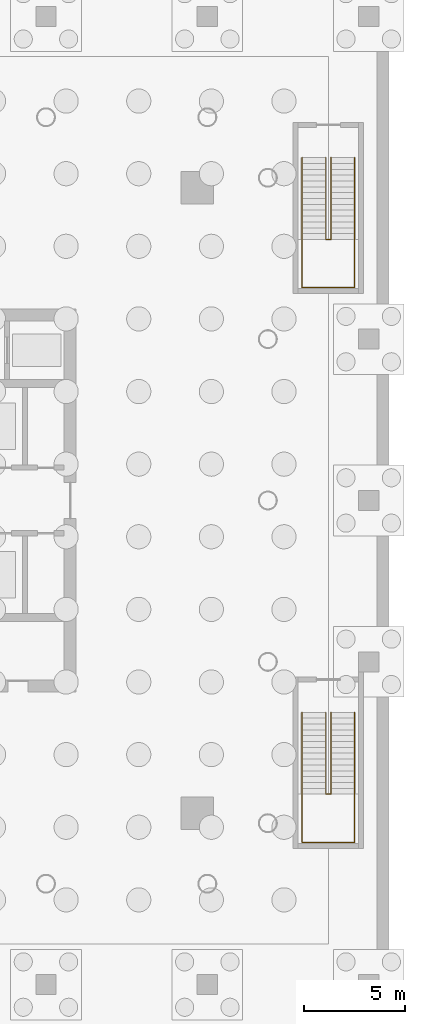
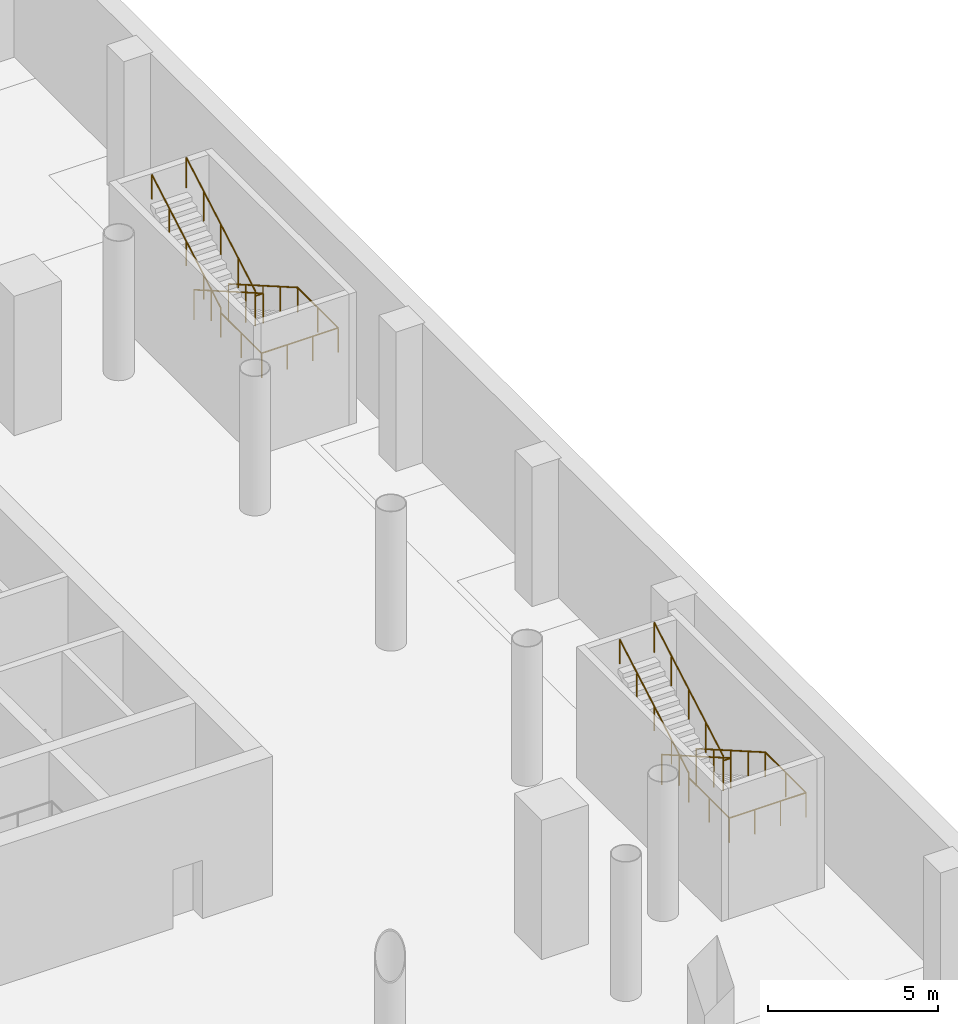
# One storey, part 23 of 24: 4 railings.
"""IFC4 building model written with IfcOpenShell, lengths in metres."""

from ifc_helpers import new_model, si_unit, direction, frame, origin, origin_2d, place, context, subcontext, project, spatial, circle, extrude, material, type_object, element, save


model = new_model("IFC4")

# Units and contexts
model_context = context("Model", 3, precision=1e-05, world=origin(), true_north=direction((0.0, 1.0)))
body_context = subcontext(model_context, "Body", "Model", "MODEL_VIEW")
ifc_project = project(units=[si_unit("LENGTHUNIT", "METRE"), si_unit("AREAUNIT", "SQUARE_METRE"), si_unit("VOLUMEUNIT", "CUBIC_METRE"), si_unit("PLANEANGLEUNIT", "RADIAN"), si_unit("MASSUNIT", "GRAM", prefix="KILO")], contexts=[model_context])

# Site, building, storey
site_placement = place(None, origin())
site = spatial("IfcSite", under=ifc_project, at=site_placement, CompositionType="ELEMENT")
building_placement = place(site_placement, origin())
building = spatial("IfcBuilding", under=site, at=building_placement, Name="Ostroluk Exchange", CompositionType="ELEMENT")
storey_placement = place(building_placement, frame((0.0, 0.0, -10.0)))
storey = spatial("IfcBuildingStorey", under=building, at=storey_placement, Name="B2", CompositionType="ELEMENT", Elevation=-10.0)

# Railings
ifc_material_1 = material(Name="Steel S355", Category="steel")
railing_type_1 = type_object("IfcRailingType", Name="Stair guard 1100", PredefinedType="GUARDRAIL", material=ifc_material_1)
railing_1_placement = place(storey_placement, frame((139.1298828125, 35.5, 0.166748046875)))
element("IfcRailing", 1, at=railing_1_placement, inside=storey, type_object=railing_type_1, Name="Stair PS7 guard B2", PredefinedType="GUARDRAIL", context=body_context, shape_type="SweptSolid", body=[
    extrude(circle(Radius=0.02392578125, at=origin_2d()), frame((0.0, 0.0, 1.076171875), z_axis=(0.0, -0.867024558463, 0.498265406207), x_axis=(1.0, 0.0, 0.0)), (0.0, 0.0, 1.0), 4.682861328125),
    extrude(circle(Radius=0.02392578125, at=origin_2d()), frame((0.0, -4.06005859375, 3.4091796875), z_axis=(-1.0, 0.0, 0.0), x_axis=(0.0, -1.0, 0.0)), (0.0, 0.0, 1.0), 0.259765625),
    extrude(circle(Radius=0.02392578125, at=origin_2d()), frame((-0.259765625, -4.06005859375, 3.4091796875), z_axis=(0.0, 0.0, 1.0), x_axis=(1.0, 0.0, 0.0)), (0.0, 0.0, 1.0), 0.166748046875),
    extrude(circle(Radius=0.02392578125, at=origin_2d()), frame((-0.259765625, -4.06005859375, 3.576171875), z_axis=(0.0, 0.867024558463, 0.498265406207), x_axis=(-1.0, 0.0, 0.0)), (0.0, 0.0, 1.0), 4.682861328125),
    extrude(circle(Radius=0.02099609375, at=origin_2d()), origin(), (0.0, 0.0, 1.0), 1.052001953125),
    extrude(circle(Radius=0.02099609375, at=origin_2d()), frame((0.0, -1.01513671875, 0.583251953125)), (0.0, 0.0, 1.0), 1.052001953125),
    extrude(circle(Radius=0.02099609375, at=origin_2d()), frame((0.0, -2.030029296875, 1.16650390625)), (0.0, 0.0, 1.0), 1.052001953125),
    extrude(circle(Radius=0.02099609375, at=origin_2d()), frame((0.0, -3.044921875, 1.75)), (0.0, 0.0, 1.0), 1.052001953125),
    extrude(circle(Radius=0.02099609375, at=origin_2d()), frame((0.0, -4.06005859375, 2.333251953125)), (0.0, 0.0, 1.0), 1.052001953125),
    extrude(circle(Radius=0.02099609375, at=origin_2d()), frame((-0.259765625, -4.06005859375, 2.333251953125)), (0.0, 0.0, 1.0), 1.052001953125),
    extrude(circle(Radius=0.02099609375, at=origin_2d()), frame((-0.259765625, -4.06005859375, 2.5)), (0.0, 0.0, 1.0), 1.052001953125),
    extrude(circle(Radius=0.02099609375, at=origin_2d()), frame((-0.259765625, -3.044921875, 3.083251953125)), (0.0, 0.0, 1.0), 1.052001953125),
    extrude(circle(Radius=0.02099609375, at=origin_2d()), frame((-0.259765625, -2.030029296875, 3.66650390625)), (0.0, 0.0, 1.0), 1.052001953125),
    extrude(circle(Radius=0.02099609375, at=origin_2d()), frame((-0.259765625, -1.01513671875, 4.25)), (0.0, 0.0, 1.0), 1.052001953125),
    extrude(circle(Radius=0.02099609375, at=origin_2d()), frame((-0.259765625, 0.0, 4.833251953125)), (0.0, 0.0, 1.0), 1.052001953125),
])
railing_2_placement = place(storey_placement, frame((139.1298828125, 63.0, 0.166748046875)))
element("IfcRailing", 2, at=railing_2_placement, inside=storey, type_object=railing_type_1, Name="Stair PS8 guard B2", PredefinedType="GUARDRAIL", context=body_context, shape_type="SweptSolid", body=[
    extrude(circle(Radius=0.02392578125, at=origin_2d()), frame((0.0, 0.0, 1.076171875), z_axis=(0.0, -0.867024558463, 0.498265406207), x_axis=(1.0, 0.0, 0.0)), (0.0, 0.0, 1.0), 4.682861328125),
    extrude(circle(Radius=0.02392578125, at=origin_2d()), frame((0.0, -4.06005859375, 3.4091796875), z_axis=(-1.0, 0.0, 0.0), x_axis=(0.0, -1.0, 0.0)), (0.0, 0.0, 1.0), 0.259765625),
    extrude(circle(Radius=0.02392578125, at=origin_2d()), frame((-0.259765625, -4.06005859375, 3.4091796875), z_axis=(0.0, 0.0, 1.0), x_axis=(1.0, 0.0, 0.0)), (0.0, 0.0, 1.0), 0.166748046875),
    extrude(circle(Radius=0.02392578125, at=origin_2d()), frame((-0.259765625, -4.06005859375, 3.576171875), z_axis=(0.0, 0.867024558463, 0.498265406207), x_axis=(-1.0, 0.0, 0.0)), (0.0, 0.0, 1.0), 4.682861328125),
    extrude(circle(Radius=0.02099609375, at=origin_2d()), origin(), (0.0, 0.0, 1.0), 1.052001953125),
    extrude(circle(Radius=0.02099609375, at=origin_2d()), frame((0.0, -1.01513671875, 0.583251953125)), (0.0, 0.0, 1.0), 1.052001953125),
    extrude(circle(Radius=0.02099609375, at=origin_2d()), frame((0.0, -2.030029296875, 1.16650390625)), (0.0, 0.0, 1.0), 1.052001953125),
    extrude(circle(Radius=0.02099609375, at=origin_2d()), frame((0.0, -3.044921875, 1.75)), (0.0, 0.0, 1.0), 1.052001953125),
    extrude(circle(Radius=0.02099609375, at=origin_2d()), frame((0.0, -4.06005859375, 2.333251953125)), (0.0, 0.0, 1.0), 1.052001953125),
    extrude(circle(Radius=0.02099609375, at=origin_2d()), frame((-0.259765625, -4.06005859375, 2.333251953125)), (0.0, 0.0, 1.0), 1.052001953125),
    extrude(circle(Radius=0.02099609375, at=origin_2d()), frame((-0.259765625, -4.06005859375, 2.5)), (0.0, 0.0, 1.0), 1.052001953125),
    extrude(circle(Radius=0.02099609375, at=origin_2d()), frame((-0.259765625, -3.044921875, 3.083251953125)), (0.0, 0.0, 1.0), 1.052001953125),
    extrude(circle(Radius=0.02099609375, at=origin_2d()), frame((-0.259765625, -2.030029296875, 3.66650390625)), (0.0, 0.0, 1.0), 1.052001953125),
    extrude(circle(Radius=0.02099609375, at=origin_2d()), frame((-0.259765625, -1.01513671875, 4.25)), (0.0, 0.0, 1.0), 1.052001953125),
    extrude(circle(Radius=0.02099609375, at=origin_2d()), frame((-0.259765625, 0.0, 4.833251953125)), (0.0, 0.0, 1.0), 1.052001953125),
])
ifc_material_2 = material(Name="Stainless steel", Category="steel")
railing_type_2 = type_object("IfcRailingType", Name="Stair handrail 900", PredefinedType="HANDRAIL", material=ifc_material_2)
railing_3_placement = place(storey_placement, frame((140.300048828125, 35.5, 0.166748046875)))
element("IfcRailing", 3, at=railing_3_placement, inside=storey, type_object=railing_type_2, Name="Stair PS7 handrail B2", PredefinedType="HANDRAIL", context=body_context, shape_type="SweptSolid", body=[
    extrude(circle(Radius=0.02392578125, at=origin_2d()), frame((0.0, 0.0, 0.8759765625), z_axis=(0.0, -0.867024558463, 0.498265406207), x_axis=(1.0, 0.0, 0.0)), (0.0, 0.0, 1.0), 4.682861328125),
    extrude(circle(Radius=0.02392578125, at=origin_2d()), frame((0.0, -4.06005859375, 3.208984375), z_axis=(0.0, -1.0, 0.0), x_axis=(1.0, 0.0, 0.0)), (0.0, 0.0, 1.0), 2.389892578125),
    extrude(circle(Radius=0.02392578125, at=origin_2d()), frame((0.0, -6.449951171875, 3.208984375), z_axis=(-1.0, 0.0, 0.0), x_axis=(0.0, -1.0, 0.0)), (0.0, 0.0, 1.0), 2.60009765625),
    extrude(circle(Radius=0.02392578125, at=origin_2d()), frame((-2.60009765625, -6.449951171875, 3.208984375), z_axis=(0.0, 1.0, 0.0), x_axis=(-1.0, 0.0, 0.0)), (0.0, 0.0, 1.0), 2.389892578125),
    extrude(circle(Radius=0.02392578125, at=origin_2d()), frame((-2.60009765625, -4.06005859375, 3.208984375), z_axis=(0.0, 0.0, 1.0), x_axis=(1.0, 0.0, 0.0)), (0.0, 0.0, 1.0), 0.166748046875),
    extrude(circle(Radius=0.02392578125, at=origin_2d()), frame((-2.60009765625, -4.06005859375, 3.3759765625), z_axis=(0.0, 0.867024558463, 0.498265406207), x_axis=(-1.0, 0.0, 0.0)), (0.0, 0.0, 1.0), 4.682861328125),
    extrude(circle(Radius=0.02099609375, at=origin_2d()), origin(), (0.0, 0.0, 1.0), 0.851806640625),
    extrude(circle(Radius=0.02099609375, at=origin_2d()), frame((0.0, -1.01513671875, 0.583251953125)), (0.0, 0.0, 1.0), 0.851806640625),
    extrude(circle(Radius=0.02099609375, at=origin_2d()), frame((0.0, -2.030029296875, 1.16650390625)), (0.0, 0.0, 1.0), 0.851806640625),
    extrude(circle(Radius=0.02099609375, at=origin_2d()), frame((0.0, -3.044921875, 1.75)), (0.0, 0.0, 1.0), 0.851806640625),
    extrude(circle(Radius=0.02099609375, at=origin_2d()), frame((0.0, -4.06005859375, 2.333251953125)), (0.0, 0.0, 1.0), 0.851806640625),
    extrude(circle(Radius=0.02099609375, at=origin_2d()), frame((0.0, -5.2548828125, 2.333251953125)), (0.0, 0.0, 1.0), 0.851806640625),
    extrude(circle(Radius=0.02099609375, at=origin_2d()), frame((0.0, -6.449951171875, 2.333251953125)), (0.0, 0.0, 1.0), 0.851806640625),
    extrude(circle(Radius=0.02099609375, at=origin_2d()), frame((-0.86669921875, -6.449951171875, 2.333251953125)), (0.0, 0.0, 1.0), 0.851806640625),
    extrude(circle(Radius=0.02099609375, at=origin_2d()), frame((-1.7333984375, -6.449951171875, 2.333251953125)), (0.0, 0.0, 1.0), 0.851806640625),
    extrude(circle(Radius=0.02099609375, at=origin_2d()), frame((-2.60009765625, -6.449951171875, 2.333251953125)), (0.0, 0.0, 1.0), 0.851806640625),
    extrude(circle(Radius=0.02099609375, at=origin_2d()), frame((-2.60009765625, -5.2548828125, 2.333251953125)), (0.0, 0.0, 1.0), 0.851806640625),
    extrude(circle(Radius=0.02099609375, at=origin_2d()), frame((-2.60009765625, -4.06005859375, 2.333251953125)), (0.0, 0.0, 1.0), 0.851806640625),
    extrude(circle(Radius=0.02099609375, at=origin_2d()), frame((-2.60009765625, -4.06005859375, 2.5)), (0.0, 0.0, 1.0), 0.851806640625),
    extrude(circle(Radius=0.02099609375, at=origin_2d()), frame((-2.60009765625, -3.044921875, 3.083251953125)), (0.0, 0.0, 1.0), 0.851806640625),
    extrude(circle(Radius=0.02099609375, at=origin_2d()), frame((-2.60009765625, -2.030029296875, 3.66650390625)), (0.0, 0.0, 1.0), 0.851806640625),
    extrude(circle(Radius=0.02099609375, at=origin_2d()), frame((-2.60009765625, -1.01513671875, 4.25)), (0.0, 0.0, 1.0), 0.851806640625),
    extrude(circle(Radius=0.02099609375, at=origin_2d()), frame((-2.60009765625, 0.0, 4.833251953125)), (0.0, 0.0, 1.0), 0.851806640625),
])
railing_4_placement = place(storey_placement, frame((140.300048828125, 63.0, 0.166748046875)))
element("IfcRailing", 4, at=railing_4_placement, inside=storey, type_object=railing_type_2, Name="Stair PS8 handrail B2", PredefinedType="HANDRAIL", context=body_context, shape_type="SweptSolid", body=[
    extrude(circle(Radius=0.02392578125, at=origin_2d()), frame((0.0, 0.0, 0.8759765625), z_axis=(0.0, -0.867024558463, 0.498265406207), x_axis=(1.0, 0.0, 0.0)), (0.0, 0.0, 1.0), 4.682861328125),
    extrude(circle(Radius=0.02392578125, at=origin_2d()), frame((0.0, -4.06005859375, 3.208984375), z_axis=(0.0, -1.0, 0.0), x_axis=(1.0, 0.0, 0.0)), (0.0, 0.0, 1.0), 2.389892578125),
    extrude(circle(Radius=0.02392578125, at=origin_2d()), frame((0.0, -6.449951171875, 3.208984375), z_axis=(-1.0, 0.0, 0.0), x_axis=(0.0, -1.0, 0.0)), (0.0, 0.0, 1.0), 2.60009765625),
    extrude(circle(Radius=0.02392578125, at=origin_2d()), frame((-2.60009765625, -6.449951171875, 3.208984375), z_axis=(0.0, 1.0, 0.0), x_axis=(-1.0, 0.0, 0.0)), (0.0, 0.0, 1.0), 2.389892578125),
    extrude(circle(Radius=0.02392578125, at=origin_2d()), frame((-2.60009765625, -4.06005859375, 3.208984375), z_axis=(0.0, 0.0, 1.0), x_axis=(1.0, 0.0, 0.0)), (0.0, 0.0, 1.0), 0.166748046875),
    extrude(circle(Radius=0.02392578125, at=origin_2d()), frame((-2.60009765625, -4.06005859375, 3.3759765625), z_axis=(0.0, 0.867024558463, 0.498265406207), x_axis=(-1.0, 0.0, 0.0)), (0.0, 0.0, 1.0), 4.682861328125),
    extrude(circle(Radius=0.02099609375, at=origin_2d()), origin(), (0.0, 0.0, 1.0), 0.851806640625),
    extrude(circle(Radius=0.02099609375, at=origin_2d()), frame((0.0, -1.01513671875, 0.583251953125)), (0.0, 0.0, 1.0), 0.851806640625),
    extrude(circle(Radius=0.02099609375, at=origin_2d()), frame((0.0, -2.030029296875, 1.16650390625)), (0.0, 0.0, 1.0), 0.851806640625),
    extrude(circle(Radius=0.02099609375, at=origin_2d()), frame((0.0, -3.044921875, 1.75)), (0.0, 0.0, 1.0), 0.851806640625),
    extrude(circle(Radius=0.02099609375, at=origin_2d()), frame((0.0, -4.06005859375, 2.333251953125)), (0.0, 0.0, 1.0), 0.851806640625),
    extrude(circle(Radius=0.02099609375, at=origin_2d()), frame((0.0, -5.2548828125, 2.333251953125)), (0.0, 0.0, 1.0), 0.851806640625),
    extrude(circle(Radius=0.02099609375, at=origin_2d()), frame((0.0, -6.449951171875, 2.333251953125)), (0.0, 0.0, 1.0), 0.851806640625),
    extrude(circle(Radius=0.02099609375, at=origin_2d()), frame((-0.86669921875, -6.449951171875, 2.333251953125)), (0.0, 0.0, 1.0), 0.851806640625),
    extrude(circle(Radius=0.02099609375, at=origin_2d()), frame((-1.7333984375, -6.449951171875, 2.333251953125)), (0.0, 0.0, 1.0), 0.851806640625),
    extrude(circle(Radius=0.02099609375, at=origin_2d()), frame((-2.60009765625, -6.449951171875, 2.333251953125)), (0.0, 0.0, 1.0), 0.851806640625),
    extrude(circle(Radius=0.02099609375, at=origin_2d()), frame((-2.60009765625, -5.2548828125, 2.333251953125)), (0.0, 0.0, 1.0), 0.851806640625),
    extrude(circle(Radius=0.02099609375, at=origin_2d()), frame((-2.60009765625, -4.06005859375, 2.333251953125)), (0.0, 0.0, 1.0), 0.851806640625),
    extrude(circle(Radius=0.02099609375, at=origin_2d()), frame((-2.60009765625, -4.06005859375, 2.5)), (0.0, 0.0, 1.0), 0.851806640625),
    extrude(circle(Radius=0.02099609375, at=origin_2d()), frame((-2.60009765625, -3.044921875, 3.083251953125)), (0.0, 0.0, 1.0), 0.851806640625),
    extrude(circle(Radius=0.02099609375, at=origin_2d()), frame((-2.60009765625, -2.030029296875, 3.66650390625)), (0.0, 0.0, 1.0), 0.851806640625),
    extrude(circle(Radius=0.02099609375, at=origin_2d()), frame((-2.60009765625, -1.01513671875, 4.25)), (0.0, 0.0, 1.0), 0.851806640625),
    extrude(circle(Radius=0.02099609375, at=origin_2d()), frame((-2.60009765625, 0.0, 4.833251953125)), (0.0, 0.0, 1.0), 0.851806640625),
])

save(model, "model.ifc")
